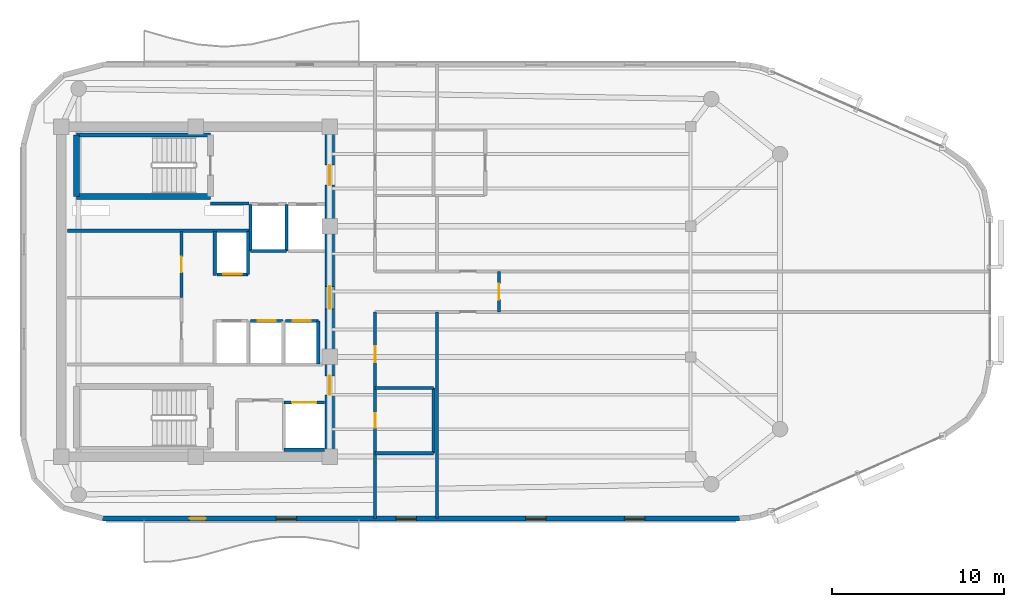
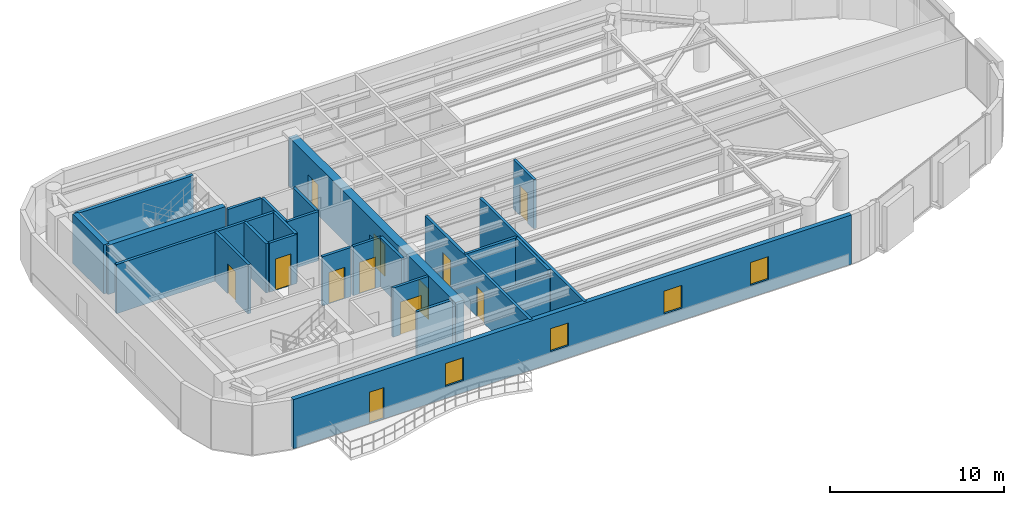
# One storey, part 8 of 12: 25 walls, 12 doors, 4 windows, 16 openings.
"""IFC4 building model written with IfcOpenShell, lengths in metres."""

from ifc_helpers import new_model, si_unit, direction, frame, frame_2d, origin, place, context, subcontext, project, spatial, rectangle, extrude, material, layer, layer_set, type_object, element, fill, save


model = new_model("IFC4")

# Units and contexts
model_context = context("Model", 3, precision=1e-05, world=origin(), true_north=direction((0.0, 1.0)))
body_context = subcontext(model_context, "Body", "Model", "MODEL_VIEW")
ifc_project = project(units=[si_unit("LENGTHUNIT", "METRE"), si_unit("AREAUNIT", "SQUARE_METRE"), si_unit("VOLUMEUNIT", "CUBIC_METRE"), si_unit("PLANEANGLEUNIT", "RADIAN"), si_unit("MASSUNIT", "GRAM", prefix="KILO")], contexts=[model_context])

# Site, building, storey
site_placement = place(None, origin())
site = spatial("IfcSite", under=ifc_project, at=site_placement, CompositionType="ELEMENT")
building_placement = place(site_placement, origin())
building = spatial("IfcBuilding", under=site, at=building_placement, Name="An Khanh Terracotta Commons", CompositionType="ELEMENT")
storey_placement = place(building_placement, frame((0.0, 0.0, 273.39990234375)))
storey = spatial("IfcBuildingStorey", under=building, at=storey_placement, Name="L71", CompositionType="ELEMENT", Elevation=273.39990234375)

# Wall, openings, doors
ifc_material_1 = material(Name="Concrete C50/60", Category="concrete")
ifc_layer_1 = layer(ifc_material_1, 0.550048828125, Name="Concrete C50/60")
ifc_layer_set_1 = layer_set([ifc_layer_1], Name="Concrete C50/60")
wall_type_1 = type_object("IfcWallType", Name="WALL-CORE-550", PredefinedType="SHEAR", material=ifc_layer_set_1)
wall_1_placement = place(storey_placement, frame((37.199951171875, 14.39990234375, 0.0), z_axis=(0.0, 0.0, 1.0), x_axis=(0.0, 1.0, 0.0)))
wall_1 = element("IfcWall", 1, at=wall_1_placement, inside=storey, type_object=wall_type_1, Name="L71 Core Wall CWALL-L71-E", PredefinedType="SHEAR", context=body_context, shape_type="SweptSolid", body=[
    extrude(rectangle(XDim=19.2001953125, YDim=0.550048828125, at=frame_2d((9.60009765625, 0.0))), origin(), (0.0, 0.0, 1.0), 3.4501953125),
])
opening_1_placement = place(wall_1_placement, frame((15.800048828125, 0.0, 0.0)))
opening_1 = element("IfcOpeningElement", 2, at=opening_1_placement, cuts=wall_1, Name="Opening D-FFL", PredefinedType="OPENING", context=body_context, shape_type="SweptSolid", body=[
    extrude(rectangle(XDim=1.14990234375, YDim=2.14990234375, at=frame_2d((0.574951171875, 1.074951171875))), frame((0.0, 0.284912109375, 0.0), z_axis=(0.0, -1.0, 0.0), x_axis=(1.0, 0.0, 0.0)), (0.0, 0.0, 1.0), 0.570068359375),
])
opening_2_placement = place(wall_1_placement, frame((3.60009765625, 0.0, 0.0)))
opening_2 = element("IfcOpeningElement", 3, at=opening_2_placement, cuts=wall_1, Name="Opening D-ST", PredefinedType="OPENING", context=body_context, shape_type="SweptSolid", body=[
    extrude(rectangle(XDim=1.10009765625, YDim=2.14990234375, at=frame_2d((0.550048828125, 1.074951171875))), frame((0.0, 0.284912109375, 0.0), z_axis=(0.0, -1.0, 0.0), x_axis=(1.0, 0.0, 0.0)), (0.0, 0.0, 1.0), 0.570068359375),
])
opening_3_placement = place(wall_1_placement, frame((8.60009765625, 0.0, 0.0)))
opening_3 = element("IfcOpeningElement", 4, at=opening_3_placement, cuts=wall_1, Name="Opening D-COR", PredefinedType="OPENING", context=body_context, shape_type="SweptSolid", body=[
    extrude(rectangle(XDim=1.300048828125, YDim=2.199951171875, at=frame_2d((0.64990234375, 1.10009765625))), frame((0.0, 0.284912109375, 0.0), z_axis=(0.0, -1.0, 0.0), x_axis=(1.0, 0.0, 0.0)), (0.0, 0.0, 1.0), 0.570068359375),
])
ifc_material_2 = material(Name="Fire-Rated Glazed Steel Double Door", Category="steel")
door_type_1 = type_object("IfcDoorType", Name="DOOR-CORR-1300", OperationType="NOTDEFINED", PredefinedType="DOOR", material=ifc_material_2)
door_1_placement = place(opening_3_placement, origin())
door_1 = element("IfcDoor", 5, at=door_1_placement, inside=storey, type_object=door_type_1, Name="L71 Passenger Lift Lobby Double Door", OperationType="DOUBLE_DOOR_SINGLE_SWING", OverallHeight=2.199951171875, OverallWidth=1.300048828125, PredefinedType="DOOR", context=body_context, shape_type="SweptSolid", body=[
    extrude(rectangle(XDim=1.300048828125, YDim=2.199951171875, at=frame_2d((0.64990234375, 1.10009765625))), frame((0.0, 0.02490234375, 0.0), z_axis=(0.0, -1.0, 0.0), x_axis=(1.0, 0.0, 0.0)), (0.0, 0.0, 1.0), 0.050048828125),
])
fill(opening_3, door_1)
ifc_material_3 = material(Name="Fire-Rated Steel Leaf and Vision Panel", Category="steel")
door_type_2 = type_object("IfcDoorType", Name="DOOR-FFL-1150", OperationType="NOTDEFINED", PredefinedType="DOOR", material=ifc_material_3)
door_2_placement = place(opening_1_placement, origin())
door_2 = element("IfcDoor", 6, at=door_2_placement, inside=storey, type_object=door_type_2, Name="L71 Firefighting Lift Lobby Fire Door", OperationType="SINGLE_SWING_RIGHT", OverallHeight=2.14990234375, OverallWidth=1.14990234375, PredefinedType="DOOR", context=body_context, shape_type="SweptSolid", body=[
    extrude(rectangle(XDim=1.14990234375, YDim=2.14990234375, at=frame_2d((0.574951171875, 1.074951171875))), frame((0.0, 0.02490234375, 0.0), z_axis=(0.0, -1.0, 0.0), x_axis=(1.0, 0.0, 0.0)), (0.0, 0.0, 1.0), 0.050048828125),
])
fill(opening_1, door_2)
ifc_material_4 = material(Name="Fire-Rated Steel Leaf and Frame", Category="steel")
door_type_3 = type_object("IfcDoorType", Name="DOOR-STAIR-1100", OperationType="NOTDEFINED", PredefinedType="DOOR", material=ifc_material_4)
door_3_placement = place(opening_2_placement, origin())
door_3 = element("IfcDoor", 7, at=door_3_placement, inside=storey, type_object=door_type_3, Name="L71 South Stair Lobby Fire Door", OperationType="SINGLE_SWING_LEFT", OverallHeight=2.14990234375, OverallWidth=1.10009765625, PredefinedType="DOOR", context=body_context, shape_type="SweptSolid", body=[
    extrude(rectangle(XDim=1.10009765625, YDim=2.14990234375, at=frame_2d((0.550048828125, 1.074951171875))), frame((0.0, 0.02490234375, 0.0), z_axis=(0.0, -1.0, 0.0), x_axis=(1.0, 0.0, 0.0)), (0.0, 0.0, 1.0), 0.050048828125),
])
fill(opening_2, door_3)

# Walls
ifc_material_5 = material(Name="Fire-Rated Gypsum Board on Steel Stud", Category="steel")
ifc_layer_2 = layer(ifc_material_5, 0.179931640625, Name="Fire-Rated Gypsum Board on Steel Stud")
ifc_layer_set_2 = layer_set([ifc_layer_2], Name="Fire-Rated Gypsum Board on Steel Stud")
wall_type_2 = type_object("IfcWallType", Name="WALL-CORR-180", PredefinedType="PARTITIONING", material=ifc_layer_set_2)
wall_2_placement = place(storey_placement, frame((30.27001953125, 29.1201171875, 0.0), z_axis=(0.0, 0.0, 1.0), x_axis=(1.0, 0.0, 0.0)))
element("IfcWall", 8, at=wall_2_placement, inside=storey, type_object=wall_type_2, Name="L71 Core Wall FFLW-L71-S", PredefinedType="PARTITIONING", context=body_context, shape_type="SweptSolid", body=[
    extrude(rectangle(XDim=2.239990234375, YDim=0.179931640625, at=frame_2d((1.1201171875, 0.0))), origin(), (0.0, 0.0, 1.0), 3.4501953125),
])
wall_3_placement = place(storey_placement, frame((21.949951171875, 27.5400390625, 0.0), z_axis=(0.0, 0.0, 1.0), x_axis=(1.0, 0.0, 0.0)))
element("IfcWall", 9, at=wall_3_placement, inside=storey, type_object=wall_type_2, Name="L71 Core Wall RSRW-L71-S", PredefinedType="PARTITIONING", context=body_context, shape_type="SweptSolid", body=[
    extrude(rectangle(XDim=10.56005859375, YDim=0.179931640625, at=frame_2d((5.280029296875, 0.0))), origin(), (0.0, 0.0, 1.0), 3.4501953125),
])
wall_4_placement = place(storey_placement, frame((34.679931640625, 26.35009765625, 0.0), z_axis=(0.0, 0.0, 1.0), x_axis=(-1.0, 0.0, 0.0)))
element("IfcWall", 10, at=wall_4_placement, inside=storey, type_object=wall_type_2, Name="L71 Core Wall LSH-L71-FFL-01-S", PredefinedType="PARTITIONING", context=body_context, shape_type="SweptSolid", body=[
    extrude(rectangle(XDim=2.079833984375, YDim=0.179931640625, at=frame_2d((1.0400390625, 0.0))), origin(), (0.0, 0.0, 1.0), 3.4501953125),
])
for number, where, z_axis, x_axis, name in (
    (11, (34.679931640625, 26.35009765625, 0.0), (0.0, 0.0, 1.0), (0.0, 1.0, 0.0), "L71 Core Wall LSH-L71-FFL-01-E"),
    (12, (32.60009765625, 29.080078125, 0.0), (0.0, 0.0, 1.0), (0.0, -1.0, 0.0), "L71 Core Wall LSH-L71-FFL-01-W"),
):
    element("IfcWall", number, at=place(storey_placement, frame(where, z_axis=z_axis, x_axis=x_axis)), inside=storey, type_object=wall_type_2, Name=name, PredefinedType="PARTITIONING", context=body_context, shape_type="SweptSolid", body=[
        extrude(rectangle(XDim=2.72998046875, YDim=0.179931640625, at=frame_2d((1.364990234375, 0.0))), origin(), (0.0, 0.0, 1.0), 3.4501953125),
    ])

# Wall, opening, door
wall_5_placement = place(storey_placement, frame((34.550048828125, 17.550048828125, 0.0), z_axis=(0.0, 0.0, 1.0), x_axis=(1.0, 0.0, 0.0)))
wall_5 = element("IfcWall", 13, at=wall_5_placement, inside=storey, type_object=wall_type_2, Name="L71 Core Wall LSH-L71-SVL-01-N", PredefinedType="PARTITIONING", context=body_context, shape_type="SweptSolid", body=[
    extrude(rectangle(XDim=2.349853515625, YDim=0.179931640625, at=frame_2d((1.1748046875, 0.0))), origin(), (0.0, 0.0, 1.0), 3.4501953125),
])
opening_4_placement = place(wall_5_placement, frame((0.47509765625, 0.0, 0.0)))
opening_4 = element("IfcOpeningElement", 14, at=opening_4_placement, cuts=wall_5, Name="Opening LD-SVL-01-L71", PredefinedType="OPENING", context=body_context, shape_type="SweptSolid", body=[
    extrude(rectangle(XDim=1.39990234375, YDim=2.300048828125, at=frame_2d((0.699951171875, 1.14990234375))), frame((0.0, 0.099853515625, 0.0), z_axis=(0.0, -1.0, 0.0), x_axis=(1.0, 0.0, 0.0)), (0.0, 0.0, 1.0), 0.199951171875),
])
ifc_material_6 = material(Name="Heavy-Duty Stainless Steel Goods Landing Door", Category="steel")
door_type_4 = type_object("IfcDoorType", Name="DOOR-LD-SVL-1400", OperationType="NOTDEFINED", PredefinedType="DOOR", material=ifc_material_6)
door_4_placement = place(opening_4_placement, origin())
door_4 = element("IfcDoor", 15, at=door_4_placement, inside=storey, type_object=door_type_4, Name="L71 Lift SVL-01 Sliding Landing Door", OperationType="DOUBLE_DOOR_SLIDING", OverallHeight=2.300048828125, OverallWidth=1.39990234375, PredefinedType="DOOR", context=body_context, shape_type="SweptSolid", body=[
    extrude(rectangle(XDim=1.39990234375, YDim=2.300048828125, at=frame_2d((0.699951171875, 1.14990234375))), frame((0.0, 0.02490234375, 0.0), z_axis=(0.0, -1.0, 0.0), x_axis=(1.0, 0.0, 0.0)), (0.0, 0.0, 1.0), 0.050048828125),
])
fill(opening_4, door_4)

# Wall
wall_6_placement = place(storey_placement, frame((36.89990234375, 14.800048828125, 0.0), z_axis=(0.0, 0.0, 1.0), x_axis=(-1.0, 0.0, 0.0)))
element("IfcWall", 16, at=wall_6_placement, inside=storey, type_object=wall_type_2, Name="L71 Core Wall LSH-L71-SVL-01-S", PredefinedType="PARTITIONING", context=body_context, shape_type="SweptSolid", body=[
    extrude(rectangle(XDim=2.349853515625, YDim=0.179931640625, at=frame_2d((1.1748046875, 0.0))), origin(), (0.0, 0.0, 1.0), 3.4501953125),
])

# Wall, opening, door
wall_7_placement = place(storey_placement, frame((32.4599609375, 25.0, 0.0), z_axis=(0.0, 0.0, 1.0), x_axis=(-1.0, 0.0, 0.0)))
wall_7 = element("IfcWall", 17, at=wall_7_placement, inside=storey, type_object=wall_type_2, Name="L71 Core Wall LSH-L71-PL-H1-S", PredefinedType="PARTITIONING", context=body_context, shape_type="SweptSolid", body=[
    extrude(rectangle(XDim=1.820068359375, YDim=0.179931640625, at=frame_2d((0.91015625, 0.0))), origin(), (0.0, 0.0, 1.0), 3.4501953125),
])
opening_5_placement = place(wall_7_placement, frame((0.385009765625, 0.0, 0.0)))
opening_5 = element("IfcOpeningElement", 18, at=opening_5_placement, cuts=wall_7, Name="Opening LD-PL-H1-L71", PredefinedType="OPENING", context=body_context, shape_type="SweptSolid", body=[
    extrude(rectangle(XDim=1.050048828125, YDim=2.199951171875, at=frame_2d((0.52490234375, 1.10009765625))), frame((0.0, 0.099853515625, 0.0), z_axis=(0.0, -1.0, 0.0), x_axis=(1.0, 0.0, 0.0)), (0.0, 0.0, 1.0), 0.199951171875),
])
ifc_material_7 = material(Name="Brushed Stainless Steel High-Rise Landing Door", Category="steel")
door_type_5 = type_object("IfcDoorType", Name="DOOR-LD-PAXH-1050", OperationType="NOTDEFINED", PredefinedType="DOOR", material=ifc_material_7)
door_5_placement = place(opening_5_placement, origin())
door_5 = element("IfcDoor", 19, at=door_5_placement, inside=storey, type_object=door_type_5, Name="L71 Lift PL-H1 Sliding Landing Door", OperationType="DOUBLE_DOOR_SLIDING", OverallHeight=2.199951171875, OverallWidth=1.050048828125, PredefinedType="DOOR", context=body_context, shape_type="SweptSolid", body=[
    extrude(rectangle(XDim=1.050048828125, YDim=2.199951171875, at=frame_2d((0.52490234375, 1.10009765625))), frame((0.0, 0.02490234375, 0.0), z_axis=(0.0, -1.0, 0.0), x_axis=(1.0, 0.0, 0.0)), (0.0, 0.0, 1.0), 0.050048828125),
])
fill(opening_5, door_5)

# Wall
wall_8_placement = place(storey_placement, frame((32.4599609375, 25.0, 0.0), z_axis=(0.0, 0.0, 1.0), x_axis=(0.0, 1.0, 0.0)))
element("IfcWall", 20, at=wall_8_placement, inside=storey, type_object=wall_type_2, Name="L71 Core Wall LSH-L71-PL-H1-E", PredefinedType="PARTITIONING", context=body_context, shape_type="SweptSolid", body=[
    extrude(rectangle(XDim=2.5, YDim=0.179931640625, at=frame_2d((1.25, 0.0))), origin(), (0.0, 0.0, 1.0), 3.4501953125),
])

# Wall, opening, door
wall_9_placement = place(storey_placement, frame((32.60009765625, 22.300048828125, 0.0), z_axis=(0.0, 0.0, 1.0), x_axis=(1.0, 0.0, 0.0)))
wall_9 = element("IfcWall", 21, at=wall_9_placement, inside=storey, type_object=wall_type_2, Name="L71 Core Wall LSH-L71-PL-H3-N", PredefinedType="PARTITIONING", context=body_context, shape_type="SweptSolid", body=[
    extrude(rectangle(XDim=1.89990234375, YDim=0.179931640625, at=frame_2d((0.949951171875, 0.0))), origin(), (0.0, 0.0, 1.0), 3.4501953125),
])
opening_6_placement = place(wall_9_placement, frame((0.425048828125, 0.0, 0.0)))
opening_6 = element("IfcOpeningElement", 22, at=opening_6_placement, cuts=wall_9, Name="Opening LD-PL-H3-L71", PredefinedType="OPENING", context=body_context, shape_type="SweptSolid", body=[
    extrude(rectangle(XDim=1.050048828125, YDim=2.199951171875, at=frame_2d((0.52490234375, 1.10009765625))), frame((0.0, 0.099853515625, 0.0), z_axis=(0.0, -1.0, 0.0), x_axis=(1.0, 0.0, 0.0)), (0.0, 0.0, 1.0), 0.199951171875),
])
door_6_placement = place(opening_6_placement, origin())
door_6 = element("IfcDoor", 23, at=door_6_placement, inside=storey, type_object=door_type_5, Name="L71 Lift PL-H3 Sliding Landing Door", OperationType="DOUBLE_DOOR_SLIDING", OverallHeight=2.199951171875, OverallWidth=1.050048828125, PredefinedType="DOOR", context=body_context, shape_type="SweptSolid", body=[
    extrude(rectangle(XDim=1.050048828125, YDim=2.199951171875, at=frame_2d((0.52490234375, 1.10009765625))), frame((0.0, 0.02490234375, 0.0), z_axis=(0.0, -1.0, 0.0), x_axis=(1.0, 0.0, 0.0)), (0.0, 0.0, 1.0), 0.050048828125),
])
fill(opening_6, door_6)

wall_10_placement = place(storey_placement, frame((34.639892578125, 22.300048828125, 0.0), z_axis=(0.0, 0.0, 1.0), x_axis=(1.0, 0.0, 0.0)))
wall_10 = element("IfcWall", 24, at=wall_10_placement, inside=storey, type_object=wall_type_2, Name="L71 Core Wall LSH-L71-PL-H4-N", PredefinedType="PARTITIONING", context=body_context, shape_type="SweptSolid", body=[
    extrude(rectangle(XDim=1.900146484375, YDim=0.179931640625, at=frame_2d((0.9501953125, 0.0))), origin(), (0.0, 0.0, 1.0), 3.4501953125),
])
opening_7_placement = place(wall_10_placement, frame((0.425048828125, 0.0, 0.0)))
opening_7 = element("IfcOpeningElement", 25, at=opening_7_placement, cuts=wall_10, Name="Opening LD-PL-H4-L71", PredefinedType="OPENING", context=body_context, shape_type="SweptSolid", body=[
    extrude(rectangle(XDim=1.050048828125, YDim=2.199951171875, at=frame_2d((0.52490234375, 1.10009765625))), frame((0.0, 0.099853515625, 0.0), z_axis=(0.0, -1.0, 0.0), x_axis=(1.0, 0.0, 0.0)), (0.0, 0.0, 1.0), 0.199951171875),
])
door_7_placement = place(opening_7_placement, origin())
door_7 = element("IfcDoor", 26, at=door_7_placement, inside=storey, type_object=door_type_5, Name="L71 Lift PL-H4 Sliding Landing Door", OperationType="DOUBLE_DOOR_SLIDING", OverallHeight=2.199951171875, OverallWidth=1.050048828125, PredefinedType="DOOR", context=body_context, shape_type="SweptSolid", body=[
    extrude(rectangle(XDim=1.050048828125, YDim=2.199951171875, at=frame_2d((0.52490234375, 1.10009765625))), frame((0.0, 0.02490234375, 0.0), z_axis=(0.0, -1.0, 0.0), x_axis=(1.0, 0.0, 0.0)), (0.0, 0.0, 1.0), 0.050048828125),
])
fill(opening_7, door_7)

# Walls
wall_11_placement = place(storey_placement, frame((36.5400390625, 19.800048828125, 0.0), z_axis=(0.0, 0.0, 1.0), x_axis=(0.0, 1.0, 0.0)))
element("IfcWall", 27, at=wall_11_placement, inside=storey, type_object=wall_type_2, Name="L71 Core Wall LSH-L71-PL-H4-E", PredefinedType="PARTITIONING", context=body_context, shape_type="SweptSolid", body=[
    extrude(rectangle(XDim=2.5, YDim=0.179931640625, at=frame_2d((1.25, 0.0))), origin(), (0.0, 0.0, 1.0), 3.4501953125),
])
wall_12_placement = place(storey_placement, frame((30.52001953125, 24.949951171875, 0.0), z_axis=(0.0, 0.0, 1.0), x_axis=(0.0, 1.0, 0.0)))
element("IfcWall", 28, at=wall_12_placement, inside=storey, type_object=wall_type_2, Name="L71 Core Wall RECW-L71-BE1", PredefinedType="PARTITIONING", context=body_context, shape_type="SweptSolid", body=[
    extrude(rectangle(XDim=2.550048828125, YDim=0.179931640625, at=frame_2d((1.27490234375, 0.0))), origin(), (0.0, 0.0, 1.0), 3.4501953125),
])

# Wall, opening, door
wall_13_placement = place(storey_placement, frame((28.580078125, 23.64990234375, 0.0), z_axis=(0.0, 0.0, 1.0), x_axis=(0.0, 1.0, 0.0)))
wall_13 = element("IfcWall", 29, at=wall_13_placement, inside=storey, type_object=wall_type_2, Name="L71 Core Wall RECW-L71-E1", PredefinedType="PARTITIONING", context=body_context, shape_type="SweptSolid", body=[
    extrude(rectangle(XDim=3.85009765625, YDim=0.179931640625, at=frame_2d((1.925048828125, 0.0))), origin(), (0.0, 0.0, 1.0), 3.4501953125),
])
opening_8_placement = place(wall_13_placement, frame((1.465087890625, 0.0, 0.0)))
opening_8 = element("IfcOpeningElement", 30, at=opening_8_placement, cuts=wall_13, Name="Opening D-RM", PredefinedType="OPENING", context=body_context, shape_type="SweptSolid", body=[
    extrude(rectangle(XDim=0.919921875, YDim=2.10009765625, at=frame_2d((0.4599609375, 1.050048828125))), frame((0.0, 0.099853515625, 0.0), z_axis=(0.0, -1.0, 0.0), x_axis=(1.0, 0.0, 0.0)), (0.0, 0.0, 1.0), 0.199951171875),
])
ifc_material_8 = material(Name="Engineered Hardwood Timber Leaf", Category="wood")
door_type_6 = type_object("IfcDoorType", Name="DOOR-INT-920", OperationType="NOTDEFINED", PredefinedType="DOOR", material=ifc_material_8)
door_8_placement = place(opening_8_placement, origin())
door_8 = element("IfcDoor", 31, at=door_8_placement, inside=storey, type_object=door_type_6, Name="L71 Communal Laundry Room Door", OperationType="SINGLE_SWING_LEFT", OverallHeight=2.10009765625, OverallWidth=0.919921875, PredefinedType="DOOR", context=body_context, shape_type="SweptSolid", body=[
    extrude(rectangle(XDim=0.919921875, YDim=2.10009765625, at=frame_2d((0.4599609375, 1.050048828125))), frame((0.0, 0.02490234375, 0.0), z_axis=(0.0, -1.0, 0.0), x_axis=(1.0, 0.0, 0.0)), (0.0, 0.0, 1.0), 0.050048828125),
])
fill(opening_8, door_8)

# Walls
wall_14_placement = place(storey_placement, frame((39.85009765625, 14.60009765625, 0.0), z_axis=(0.0, 0.0, 1.0), x_axis=(1.0, 0.0, 0.0)))
element("IfcWall", 32, at=wall_14_placement, inside=storey, type_object=wall_type_2, Name="L71 Interior Partition IW-L71-E001", PredefinedType="PARTITIONING", context=body_context, shape_type="SweptSolid", body=[
    extrude(rectangle(XDim=3.39990234375, YDim=0.179931640625, at=frame_2d((1.699951171875, 0.0))), origin(), (0.0, 0.0, 1.0), 3.092041015625),
])
wall_15_placement = place(storey_placement, frame((39.85009765625, 18.39990234375, 0.0), z_axis=(0.0, 0.0, 1.0), x_axis=(1.0, 0.0, 0.0)))
element("IfcWall", 33, at=wall_15_placement, inside=storey, type_object=wall_type_2, Name="L71 Interior Partition IW-L71-E002", PredefinedType="PARTITIONING", context=body_context, shape_type="SweptSolid", body=[
    extrude(rectangle(XDim=3.39990234375, YDim=0.179931640625, at=frame_2d((1.699951171875, 0.0))), origin(), (0.0, 0.0, 1.0), 3.4501953125),
])

# Wall, openings, doors
wall_16_placement = place(storey_placement, frame((39.85009765625, 10.800048828125, 0.0), z_axis=(0.0, 0.0, 1.0), x_axis=(0.0, 1.0, 0.0)))
wall_16 = element("IfcWall", 34, at=wall_16_placement, inside=storey, type_object=wall_type_2, Name="L71 Interior Partition IW-L71-E007", PredefinedType="PARTITIONING", context=body_context, shape_type="SweptSolid", body=[
    extrude(rectangle(XDim=12.02001953125, YDim=0.179931640625, at=frame_2d((6.010009765625, 0.0))), origin(), (0.0, 0.0, 1.0), 3.4501953125),
])
opening_9_placement = place(wall_16_placement, frame((5.27001953125, 0.0, 0.0)))
opening_9 = element("IfcOpeningElement", 35, at=opening_9_placement, cuts=wall_16, Name="Opening D-ENS", PredefinedType="OPENING", context=body_context, shape_type="SweptSolid", body=[
    extrude(rectangle(XDim=0.860107421875, YDim=2.10009765625, at=frame_2d((0.43017578125, 1.050048828125))), frame((0.0, 0.099853515625, 0.0), z_axis=(0.0, -1.0, 0.0), x_axis=(1.0, 0.0, 0.0)), (0.0, 0.0, 1.0), 0.199951171875),
])
opening_10_placement = place(wall_16_placement, frame((9.090087890625, 0.0, 0.0)))
opening_10 = element("IfcOpeningElement", 36, at=opening_10_placement, cuts=wall_16, Name="Opening D-RM", PredefinedType="OPENING", context=body_context, shape_type="SweptSolid", body=[
    extrude(rectangle(XDim=0.919921875, YDim=2.10009765625, at=frame_2d((0.4599609375, 1.050048828125))), frame((0.0, 0.099853515625, 0.0), z_axis=(0.0, -1.0, 0.0), x_axis=(1.0, 0.0, 0.0)), (0.0, 0.0, 1.0), 0.199951171875),
])
ifc_material_9 = material(Name="Moisture-Resistant Hardwood Timber Leaf", Category="wood")
door_type_7 = type_object("IfcDoorType", Name="DOOR-BATH-860", OperationType="NOTDEFINED", PredefinedType="DOOR", material=ifc_material_9)
door_9_placement = place(opening_9_placement, origin())
door_9 = element("IfcDoor", 37, at=door_9_placement, inside=storey, type_object=door_type_7, Name="L71 SHW Resident Shared Shower and Washroom Door", OperationType="SINGLE_SWING_RIGHT", OverallHeight=2.10009765625, OverallWidth=0.860107421875, PredefinedType="DOOR", context=body_context, shape_type="SweptSolid", body=[
    extrude(rectangle(XDim=0.860107421875, YDim=2.10009765625, at=frame_2d((0.43017578125, 1.050048828125))), frame((0.0, 0.02490234375, 0.0), z_axis=(0.0, -1.0, 0.0), x_axis=(1.0, 0.0, 0.0)), (0.0, 0.0, 1.0), 0.050048828125),
])
fill(opening_9, door_9)
door_10_placement = place(opening_10_placement, origin())
door_10 = element("IfcDoor", 38, at=door_10_placement, inside=storey, type_object=door_type_6, Name="L71 T5SW Co-Living Private Bedroom Door", OperationType="SINGLE_SWING_RIGHT", OverallHeight=2.10009765625, OverallWidth=0.919921875, PredefinedType="DOOR", context=body_context, shape_type="SweptSolid", body=[
    extrude(rectangle(XDim=0.919921875, YDim=2.10009765625, at=frame_2d((0.4599609375, 1.050048828125))), frame((0.0, 0.02490234375, 0.0), z_axis=(0.0, -1.0, 0.0), x_axis=(1.0, 0.0, 0.0)), (0.0, 0.0, 1.0), 0.050048828125),
])
fill(opening_10, door_10)

# Walls
wall_17_placement = place(storey_placement, frame((43.25, 14.60009765625, 0.0), z_axis=(0.0, 0.0, 1.0), x_axis=(0.0, 1.0, 0.0)))
element("IfcWall", 39, at=wall_17_placement, inside=storey, type_object=wall_type_2, Name="L71 Interior Partition IW-L71-E009", PredefinedType="PARTITIONING", context=body_context, shape_type="SweptSolid", body=[
    extrude(rectangle(XDim=3.7998046875, YDim=0.179931640625, at=frame_2d((1.89990234375, 0.0))), origin(), (0.0, 0.0, 1.0), 3.4501953125),
])
wall_18_placement = place(storey_placement, frame((43.449951171875, 10.800048828125, 0.0), z_axis=(0.0, 0.0, 1.0), x_axis=(0.0, 1.0, 0.0)))
element("IfcWall", 40, at=wall_18_placement, inside=storey, type_object=wall_type_2, Name="L71 Interior Partition IW-L71-E011", PredefinedType="PARTITIONING", context=body_context, shape_type="SweptSolid", body=[
    extrude(rectangle(XDim=12.02001953125, YDim=0.179931640625, at=frame_2d((6.010009765625, 0.0))), origin(), (0.0, 0.0, 1.0), 3.4501953125),
])

# Wall, opening, door
wall_19_placement = place(storey_placement, frame((47.050048828125, 22.820068359375, 0.0), z_axis=(0.0, 0.0, 1.0), x_axis=(0.0, 1.0, 0.0)))
wall_19 = element("IfcWall", 41, at=wall_19_placement, inside=storey, type_object=wall_type_2, Name="L71 Interior Partition IW-L71-E015", PredefinedType="PARTITIONING", context=body_context, shape_type="SweptSolid", body=[
    extrude(rectangle(XDim=2.35986328125, YDim=0.179931640625, at=frame_2d((1.179931640625, 0.0))), origin(), (0.0, 0.0, 1.0), 3.4501953125),
])
opening_11_placement = place(wall_19_placement, frame((0.719970703125, 0.0, 0.0)))
opening_11 = element("IfcOpeningElement", 42, at=opening_11_placement, cuts=wall_19, Name="Opening D-RM", PredefinedType="OPENING", context=body_context, shape_type="SweptSolid", body=[
    extrude(rectangle(XDim=0.919921875, YDim=2.10009765625, at=frame_2d((0.4599609375, 1.050048828125))), frame((0.0, 0.099853515625, 0.0), z_axis=(0.0, -1.0, 0.0), x_axis=(1.0, 0.0, 0.0)), (0.0, 0.0, 1.0), 0.199951171875),
])
door_11_placement = place(opening_11_placement, origin())
door_11 = element("IfcDoor", 43, at=door_11_placement, inside=storey, type_object=door_type_6, Name="L71 T5ME Academic Seminar Room Door", OperationType="SINGLE_SWING_RIGHT", OverallHeight=2.10009765625, OverallWidth=0.919921875, PredefinedType="DOOR", context=body_context, shape_type="SweptSolid", body=[
    extrude(rectangle(XDim=0.919921875, YDim=2.10009765625, at=frame_2d((0.4599609375, 1.050048828125))), frame((0.0, 0.02490234375, 0.0), z_axis=(0.0, -1.0, 0.0), x_axis=(1.0, 0.0, 0.0)), (0.0, 0.0, 1.0), 0.050048828125),
])
fill(opening_11, door_11)

# Wall, openings, door, windows
ifc_material_10 = material(Name="Precast concrete C40/50", Category="concrete")
ifc_layer_3 = layer(ifc_material_10, 0.300048828125, Name="Precast concrete C40/50")
ifc_layer_set_3 = layer_set([ifc_layer_3], Name="Precast concrete C40/50")
wall_type_3 = type_object("IfcWallType", Name="WALL-EXT-300", PredefinedType="SOLIDWALL", material=ifc_layer_set_3)
wall_20_placement = place(storey_placement, frame((24.0, 10.800048828125, 0.0), z_axis=(0.0, 0.0, 1.0), x_axis=(1.0, 0.0, 0.0)))
wall_20 = element("IfcWall", 44, at=wall_20_placement, inside=storey, type_object=wall_type_3, Name="L71 Insulated Terracotta Exterior Wall 4", PredefinedType="SOLIDWALL", context=body_context, shape_type="SweptSolid", body=[
    extrude(rectangle(XDim=37.030029296875, YDim=0.300048828125, at=frame_2d((18.51513671875, 0.0))), origin(), (0.0, 0.0, 1.0), 3.4501953125),
])
opening_12_placement = place(wall_20_placement, frame((5.050048828125, 0.0, 0.0)))
opening_12 = element("IfcOpeningElement", 45, at=opening_12_placement, cuts=wall_20, Name="Opening D-BAL", PredefinedType="OPENING", context=body_context, shape_type="SweptSolid", body=[
    extrude(rectangle(XDim=0.949951171875, YDim=2.199951171875, at=frame_2d((0.47509765625, 1.10009765625))), frame((0.0, 0.159912109375, 0.0), z_axis=(0.0, -1.0, 0.0), x_axis=(1.0, 0.0, 0.0)), (0.0, 0.0, 1.0), 0.320068359375),
])
opening_13_placement = place(wall_20_placement, frame((10.0830078125, 0.0, 0.85009765625)))
opening_13 = element("IfcOpeningElement", 46, at=opening_13_placement, cuts=wall_20, Name="Opening W-05", PredefinedType="OPENING", context=body_context, shape_type="SweptSolid", body=[
    extrude(rectangle(XDim=1.199951171875, YDim=1.60009765625, at=frame_2d((0.60009765625, 0.800048828125))), frame((0.0, 0.159912109375, 0.0), z_axis=(0.0, -1.0, 0.0), x_axis=(1.0, 0.0, 0.0)), (0.0, 0.0, 1.0), 0.320068359375),
])
opening_14_placement = place(wall_20_placement, frame((17.050048828125, 0.0, 0.85009765625)))
opening_14 = element("IfcOpeningElement", 47, at=opening_14_placement, cuts=wall_20, Name="Opening W-05", PredefinedType="OPENING", context=body_context, shape_type="SweptSolid", body=[
    extrude(rectangle(XDim=1.199951171875, YDim=1.60009765625, at=frame_2d((0.60009765625, 0.800048828125))), frame((0.0, 0.159912109375, 0.0), z_axis=(0.0, -1.0, 0.0), x_axis=(1.0, 0.0, 0.0)), (0.0, 0.0, 1.0), 0.320068359375),
])
opening_15_placement = place(wall_20_placement, frame((24.593017578125, 0.0, 0.85009765625)))
opening_15 = element("IfcOpeningElement", 48, at=opening_15_placement, cuts=wall_20, Name="Opening W-05", PredefinedType="OPENING", context=body_context, shape_type="SweptSolid", body=[
    extrude(rectangle(XDim=1.199951171875, YDim=1.60009765625, at=frame_2d((0.60009765625, 0.800048828125))), frame((0.0, 0.159912109375, 0.0), z_axis=(0.0, -1.0, 0.0), x_axis=(1.0, 0.0, 0.0)), (0.0, 0.0, 1.0), 0.320068359375),
])
opening_16_placement = place(wall_20_placement, frame((30.3369140625, 0.0, 0.85009765625)))
opening_16 = element("IfcOpeningElement", 49, at=opening_16_placement, cuts=wall_20, Name="Opening W-05", PredefinedType="OPENING", context=body_context, shape_type="SweptSolid", body=[
    extrude(rectangle(XDim=1.199951171875, YDim=1.60009765625, at=frame_2d((0.60009765625, 0.800048828125))), frame((0.0, 0.159912109375, 0.0), z_axis=(0.0, -1.0, 0.0), x_axis=(1.0, 0.0, 0.0)), (0.0, 0.0, 1.0), 0.320068359375),
])
ifc_material_11 = material(Name="Thermally Broken Aluminium and Low-E Glass", Category="aluminium")
door_type_8 = type_object("IfcDoorType", Name="DOOR-BALC-950", OperationType="NOTDEFINED", PredefinedType="DOOR", material=ifc_material_11)
door_12_placement = place(opening_12_placement, origin())
door_12 = element("IfcDoor", 50, at=door_12_placement, inside=storey, type_object=door_type_8, Name="L71 S Wave Balcony Glazed Door", OperationType="SINGLE_SWING_LEFT", OverallHeight=2.199951171875, OverallWidth=0.949951171875, PredefinedType="DOOR", context=body_context, shape_type="SweptSolid", body=[
    extrude(rectangle(XDim=0.949951171875, YDim=2.199951171875, at=frame_2d((0.47509765625, 1.10009765625))), frame((0.0, 0.02490234375, 0.0), z_axis=(0.0, -1.0, 0.0), x_axis=(1.0, 0.0, 0.0)), (0.0, 0.0, 1.0), 0.050048828125),
])
fill(opening_12, door_12)
window_type = type_object("IfcWindowType", Name="WIN-Z5-1200x1600", PartitioningType="SINGLE_PANEL", PredefinedType="WINDOW", material=ifc_material_11)
window_1_placement = place(opening_13_placement, origin())
window_1 = element("IfcWindow", 51, at=window_1_placement, inside=storey, type_object=window_type, Name="L71 Operable Casement Window 4.1", OverallHeight=1.60009765625, OverallWidth=1.199951171875, PartitioningType="SINGLE_PANEL", PredefinedType="WINDOW", context=body_context, shape_type="SweptSolid", body=[
    extrude(rectangle(XDim=1.199951171875, YDim=1.60009765625, at=frame_2d((0.60009765625, 0.800048828125))), frame((0.0, 0.030029296875, 0.0), z_axis=(0.0, -1.0, 0.0), x_axis=(1.0, 0.0, 0.0)), (0.0, 0.0, 1.0), 0.06005859375),
])
fill(opening_13, window_1)
window_2_placement = place(opening_14_placement, origin())
window_2 = element("IfcWindow", 52, at=window_2_placement, inside=storey, type_object=window_type, Name="L71 Operable Casement Window 4.2", OverallHeight=1.60009765625, OverallWidth=1.199951171875, PartitioningType="SINGLE_PANEL", PredefinedType="WINDOW", context=body_context, shape_type="SweptSolid", body=[
    extrude(rectangle(XDim=1.199951171875, YDim=1.60009765625, at=frame_2d((0.60009765625, 0.800048828125))), frame((0.0, 0.030029296875, 0.0), z_axis=(0.0, -1.0, 0.0), x_axis=(1.0, 0.0, 0.0)), (0.0, 0.0, 1.0), 0.06005859375),
])
fill(opening_14, window_2)
window_3_placement = place(opening_15_placement, origin())
window_3 = element("IfcWindow", 53, at=window_3_placement, inside=storey, type_object=window_type, Name="L71 Operable Casement Window 4.3", OverallHeight=1.60009765625, OverallWidth=1.199951171875, PartitioningType="SINGLE_PANEL", PredefinedType="WINDOW", context=body_context, shape_type="SweptSolid", body=[
    extrude(rectangle(XDim=1.199951171875, YDim=1.60009765625, at=frame_2d((0.60009765625, 0.800048828125))), frame((0.0, 0.030029296875, 0.0), z_axis=(0.0, -1.0, 0.0), x_axis=(1.0, 0.0, 0.0)), (0.0, 0.0, 1.0), 0.06005859375),
])
fill(opening_15, window_3)
window_4_placement = place(opening_16_placement, origin())
window_4 = element("IfcWindow", 54, at=window_4_placement, inside=storey, type_object=window_type, Name="L71 Operable Casement Window 4.4", OverallHeight=1.60009765625, OverallWidth=1.199951171875, PartitioningType="SINGLE_PANEL", PredefinedType="WINDOW", context=body_context, shape_type="SweptSolid", body=[
    extrude(rectangle(XDim=1.199951171875, YDim=1.60009765625, at=frame_2d((0.60009765625, 0.800048828125))), frame((0.0, 0.030029296875, 0.0), z_axis=(0.0, -1.0, 0.0), x_axis=(1.0, 0.0, 0.0)), (0.0, 0.0, 1.0), 0.06005859375),
])
fill(opening_16, window_4)

# Walls
ifc_material_12 = material(Name="Acoustic Double-Stud Gypsum and Mineral Wool")
ifc_layer_4 = layer(ifc_material_12, 0.219970703125, Name="Acoustic Double-Stud Gypsum and Mineral Wool")
ifc_layer_set_4 = layer_set([ifc_layer_4], Name="Acoustic Double-Stud Gypsum and Mineral Wool")
wall_type_4 = type_object("IfcWallType", Name="WALL-PARTY-220", PredefinedType="PARTITIONING", material=ifc_layer_set_4)
wall_21_placement = place(storey_placement, frame((22.47998046875, 33.110107421875, 0.0), z_axis=(0.0, 0.0, 1.0), x_axis=(1.0, 0.0, 0.0)))
element("IfcWall", 55, at=wall_21_placement, inside=storey, type_object=wall_type_4, Name="L71 Core Wall STW-L71-N-N", PredefinedType="PARTITIONING", context=body_context, shape_type="SweptSolid", body=[
    extrude(rectangle(XDim=7.7900390625, YDim=0.219970703125, at=frame_2d((3.89501953125, 0.0))), origin(), (0.0, 0.0, 1.0), 3.4501953125),
])
ifc_layer_5 = layer(ifc_material_1, 0.35009765625, Name="Concrete C50/60")
ifc_layer_set_5 = layer_set([ifc_layer_5], Name="Concrete C50/60")
wall_type_5 = type_object("IfcWallType", Name="WALL-SHAFT-350", PredefinedType="SOLIDWALL", material=ifc_layer_set_5)
wall_22_placement = place(storey_placement, frame((22.47998046875, 29.530029296875, 0.0), z_axis=(0.0, 0.0, 1.0), x_axis=(1.0, 0.0, 0.0)))
element("IfcWall", 56, at=wall_22_placement, inside=storey, type_object=wall_type_5, Name="L71 Core Wall STW-L71-N-S", PredefinedType="SOLIDWALL", context=body_context, shape_type="SweptSolid", body=[
    extrude(rectangle(XDim=7.7900390625, YDim=0.35009765625, at=frame_2d((3.89501953125, 0.0))), origin(), (0.0, 0.0, 1.0), 3.4501953125),
])
wall_23_placement = place(storey_placement, frame((22.47998046875, 29.530029296875, 0.0), z_axis=(0.0, 0.0, 1.0), x_axis=(0.0, 1.0, 0.0)))
element("IfcWall", 57, at=wall_23_placement, inside=storey, type_object=wall_type_5, Name="L71 Core Wall STW-L71-N-W", PredefinedType="SOLIDWALL", context=body_context, shape_type="SweptSolid", body=[
    extrude(rectangle(XDim=3.580078125, YDim=0.35009765625, at=frame_2d((1.7900390625, 0.0))), origin(), (0.0, 0.0, 1.0), 3.4501953125),
])

save(model, "model.ifc")
